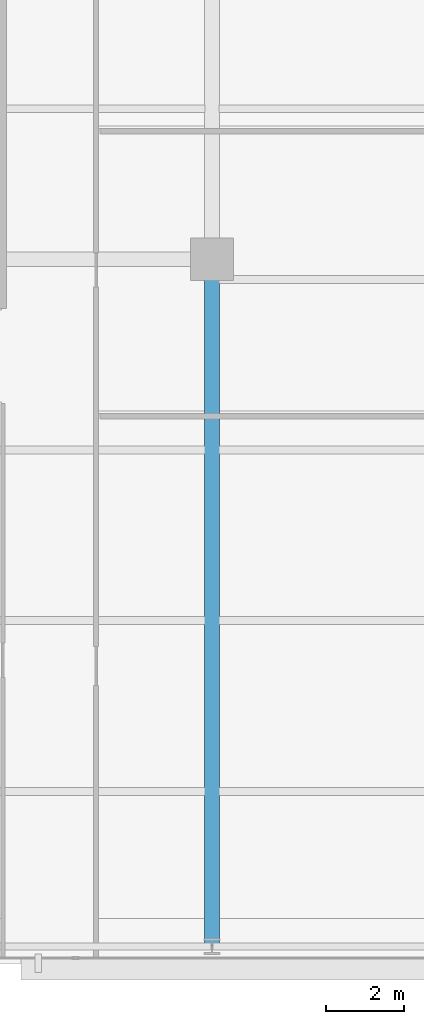
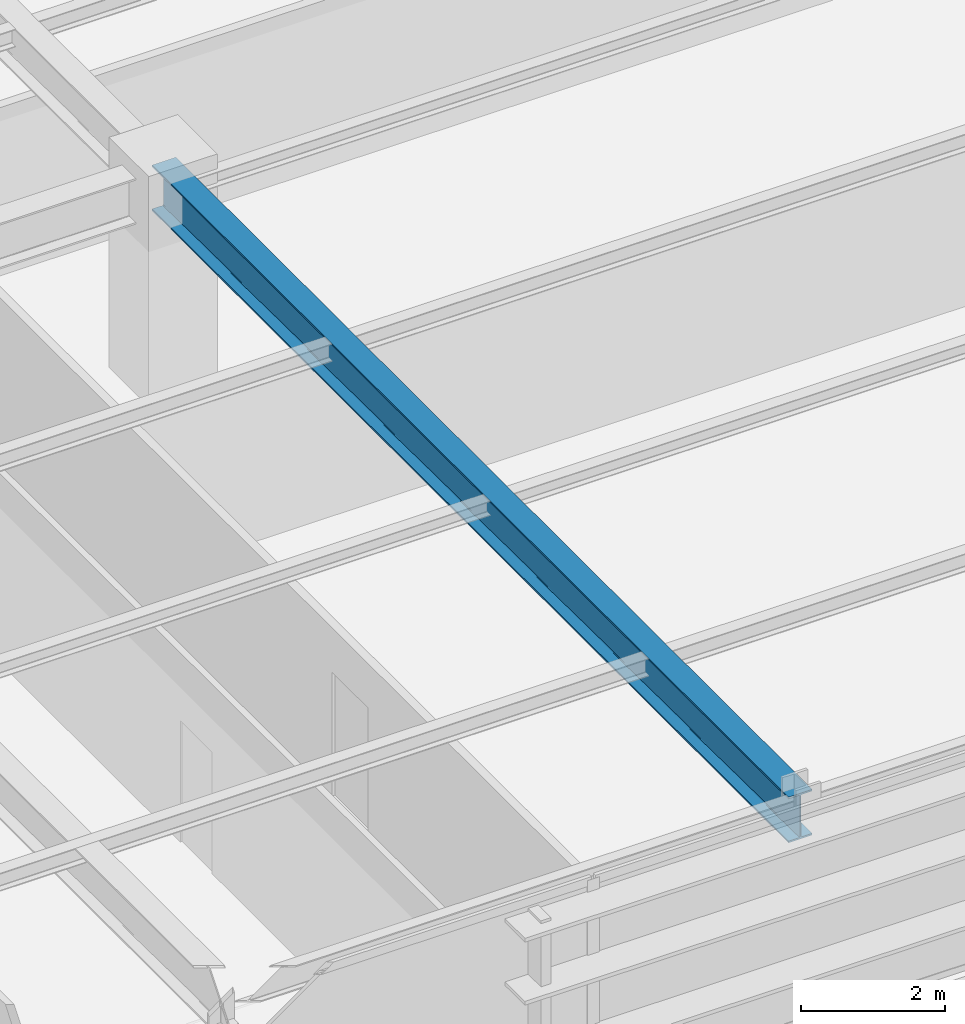
# One storey, part 13 of 30: 1 beam.
"""IFC4 building model written with IfcOpenShell, lengths in metres."""

from ifc_helpers import new_model, si_unit, direction, frame, origin, origin_2d, place, context, subcontext, project, spatial, i_section, extrude, source, transform, mapped, material, material_profile, profile_set, type_object, type_shapes, element, save


model = new_model("IFC4")

# Units and contexts
model_context = context("Model", 3, precision=1e-05, world=origin(), true_north=direction((0.0, 1.0)))
body_context = subcontext(model_context, "Body", "Model", "MODEL_VIEW")
ifc_project = project(units=[si_unit("LENGTHUNIT", "METRE"), si_unit("AREAUNIT", "SQUARE_METRE"), si_unit("VOLUMEUNIT", "CUBIC_METRE"), si_unit("PLANEANGLEUNIT", "RADIAN"), si_unit("MASSUNIT", "GRAM", prefix="KILO")], contexts=[model_context])

# Site, building, storey
site_placement = place(None, origin())
site = spatial("IfcSite", under=ifc_project, at=site_placement, CompositionType="ELEMENT")
building_placement = place(site_placement, origin())
building = spatial("IfcBuilding", under=site, at=building_placement, Name="Varnel Quay Broadcast Tower", CompositionType="ELEMENT")
storey_placement = place(building_placement, frame((0.0, 0.0, 62.699951171875)))
storey = spatial("IfcBuildingStorey", under=building, at=storey_placement, Name="L14", CompositionType="ELEMENT", Elevation=62.699951171875)

# Beam
ifc_material = material(Name="Structural Steel CSA G40.21 350W", Category="steel")
ifc_material_profile = material_profile(ifc_material, i_section(OverallWidth=0.381103515625, OverallDepth=0.77294921875, WebThickness=0.0166015625, FlangeThickness=0.027587890625, FilletRadius=0.01806640625, at=origin_2d()), Name="W760X257")
ifc_profile_set = profile_set([ifc_material_profile], Name="Structural Steel CSA G40.21 350W")
beam_type = type_object("IfcBeamType", Name="Girder_W760X257", PredefinedType="BEAM", material=ifc_profile_set)
shared_shape = source(origin(), body_context, "Body", "SweptSolid", [
    extrude(i_section(OverallWidth=0.381103515625, OverallDepth=0.77294921875, WebThickness=0.0166015625, FlangeThickness=0.027587890625, FilletRadius=0.01806640625, at=origin_2d()), origin(), (0.0, 0.0, 1.0), 17.68017578125),
])
type_shapes(beam_type, [shared_shape])
beam_placement = place(storey_placement, frame((43.199951171875, 1.669921875, 3.263427734375), z_axis=(0.0, 1.0, 0.0), x_axis=(-1.0, 0.0, 0.0)))
element("IfcBeam", 1, at=beam_placement, inside=storey, type_object=beam_type, Name="L14 Primary Girder TC-S4-IC-02", PredefinedType="BEAM", context=body_context, shape_type="MappedRepresentation", body=[
    mapped(shared_shape, transform((0.0, 0.0, 0.0), x_axis=(1.0, 0.0, 0.0), y_axis=(0.0, 1.0, 0.0), z_axis=(0.0, 0.0, 1.0), scale=1.0)),
])

save(model, "model.ifc")
